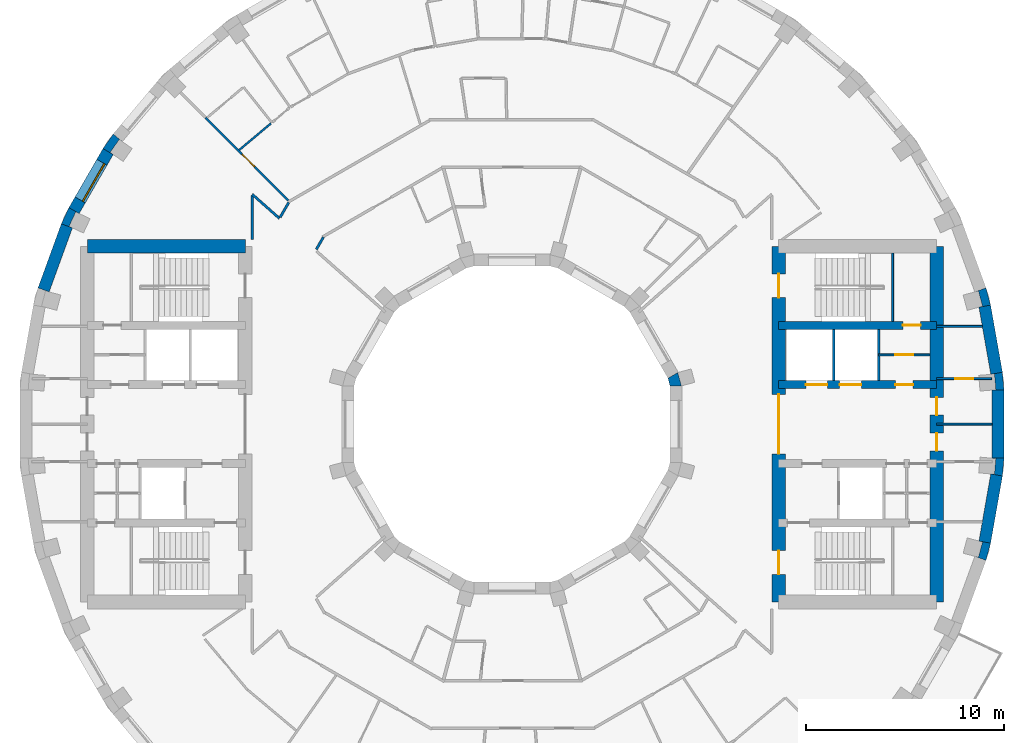
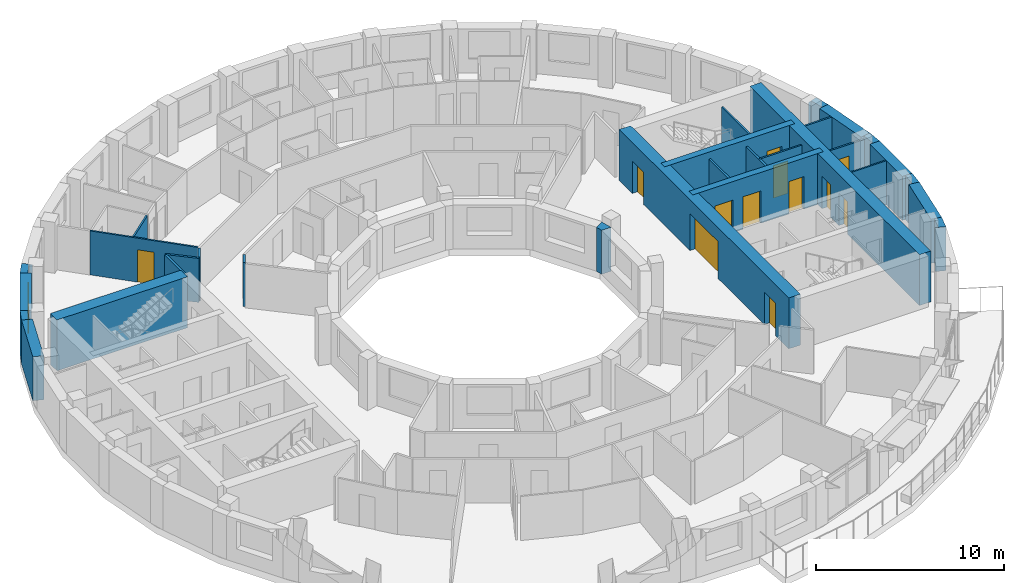
# One storey, part 10 of 15: 30 walls, 12 doors, 1 window, 13 openings.
"""IFC4 building model written with IfcOpenShell, lengths in metres."""

from ifc_helpers import new_model, si_unit, direction, frame, frame_2d, origin, place, context, subcontext, project, spatial, polyline, rectangle, outline, extrude, material, layer, layer_set, type_object, element, fill, save


model = new_model("IFC4")

# Units and contexts
model_context = context("Model", 3, precision=1e-05, world=origin(), true_north=direction((0.0, 1.0)))
body_context = subcontext(model_context, "Body", "Model", "MODEL_VIEW")
ifc_project = project(units=[si_unit("LENGTHUNIT", "METRE"), si_unit("AREAUNIT", "SQUARE_METRE"), si_unit("VOLUMEUNIT", "CUBIC_METRE"), si_unit("PLANEANGLEUNIT", "RADIAN"), si_unit("MASSUNIT", "GRAM", prefix="KILO")], contexts=[model_context])

# Site, building, storey
site_placement = place(None, origin())
site = spatial("IfcSite", under=ifc_project, at=site_placement, CompositionType="ELEMENT")
building_placement = place(site_placement, origin())
building = spatial("IfcBuilding", under=site, at=building_placement, Name="Saqina Gate Tower", CompositionType="ELEMENT")
storey_placement = place(building_placement, frame((0.0, 0.0, 164.10009765625)))
storey = spatial("IfcBuildingStorey", under=building, at=storey_placement, Name="L46", CompositionType="ELEMENT", Elevation=164.10009765625)

# Walls
ifc_material_1 = material(Name="Brick masonry (buff)", Category="masonry")
wall_type_1 = type_object("IfcWallType", Name="BRICK PIER COPING BUFF", PredefinedType="SOLIDWALL", material=ifc_material_1)
wall_1_placement = place(storey_placement, origin())
element("IfcWall", 1, at=wall_1_placement, inside=storey, type_object=wall_type_1, Name="Pier cap L46 column 1", PredefinedType="SOLIDWALL", context=body_context, shape_type="SweptSolid", body=[
    extrude(outline(polyline([(24.90478515625, 1.724853515625), (24.825927734375, 2.6259765625), (24.235107421875, 2.521728515625), (24.421630859375, 2.5380859375), (24.491455078125, 1.7412109375), (24.304931640625, 1.724853515625), (24.90478515625, 1.724853515625)])), origin(), (0.0, 0.0, 1.0), 2.849853515625),
])
wall_2_placement = place(storey_placement, origin())
element("IfcWall", 2, at=wall_2_placement, inside=storey, type_object=wall_type_1, Name="Pier cap L46 column 2", PredefinedType="SOLIDWALL", context=body_context, shape_type="SweptSolid", body=[
    extrude(outline(polyline([(24.22705078125, 6.0234375), (23.992919921875, 6.897216796875), (23.428955078125, 6.69189453125), (23.610107421875, 6.740478515625), (23.81689453125, 5.967529296875), (23.635986328125, 5.919189453125), (24.22705078125, 6.0234375)])), origin(), (0.0, 0.0, 1.0), 2.849853515625),
])
wall_3_placement = place(storey_placement, origin())
element("IfcWall", 3, at=wall_3_placement, inside=storey, type_object=wall_type_1, Name="Pier cap L46 column 15", PredefinedType="SOLIDWALL", context=body_context, shape_type="SweptSolid", body=[
    extrude(outline(polyline([(-20.18701171875, 14.687255859375), (-20.705810546875, 13.9462890625), (-20.186279296875, 13.646240234375), (-20.339599609375, 13.753662109375), (-19.880859375, 14.408935546875), (-19.727294921875, 14.301513671875), (-20.18701171875, 14.687255859375)])), origin(), (0.0, 0.0, 1.0), 2.849853515625),
])
wall_4_placement = place(storey_placement, origin())
element("IfcWall", 4, at=wall_4_placement, inside=storey, type_object=wall_type_1, Name="Pier cap L46 column 16", PredefinedType="SOLIDWALL", context=body_context, shape_type="SweptSolid", body=[
    extrude(outline(polyline([(-22.81298828125, 10.138916015625), (-22.249267578125, 9.93359375), (-22.4189453125, 10.0126953125), (-22.080810546875, 10.73779296875), (-21.9111328125, 10.65869140625), (-22.4306640625, 10.958740234375), (-22.81298828125, 10.138916015625)])), origin(), (0.0, 0.0, 1.0), 2.849853515625),
])
wall_5_placement = place(storey_placement, origin())
element("IfcWall", 5, at=wall_5_placement, inside=storey, type_object=wall_type_1, Name="Pier cap L46 column 35", PredefinedType="SOLIDWALL", context=body_context, shape_type="SweptSolid", body=[
    extrude(outline(polyline([(24.22705078125, -6.0234375), (23.635986328125, -5.919189453125), (23.81689453125, -5.967529296875), (23.610107421875, -6.740478515625), (23.428955078125, -6.69189453125), (23.992919921875, -6.897216796875), (24.22705078125, -6.0234375)])), origin(), (0.0, 0.0, 1.0), 2.849853515625),
])
wall_6_placement = place(storey_placement, origin())
element("IfcWall", 6, at=wall_6_placement, inside=storey, type_object=wall_type_1, Name="Pier cap L46 column 36", PredefinedType="SOLIDWALL", context=body_context, shape_type="SweptSolid", body=[
    extrude(outline(polyline([(24.825927734375, -2.6259765625), (24.90478515625, -1.724853515625), (24.304931640625, -1.724853515625), (24.491455078125, -1.7412109375), (24.421630859375, -2.5380859375), (24.235107421875, -2.521728515625), (24.825927734375, -2.6259765625)])), origin(), (0.0, 0.0, 1.0), 2.849853515625),
])
ifc_material_2 = material(Name="Gypsum board on steel studs", Category="steel")
ifc_layer_1 = layer(ifc_material_2, 0.10009765625)
ifc_layer_set_1 = layer_set([ifc_layer_1], Name="CORE PARTITION")
wall_type_2 = type_object("IfcWallType", Name="CORE PARTITION", PredefinedType="PARTITIONING", material=ifc_layer_set_1)
wall_7_placement = place(storey_placement, frame((21.5, 4.949951171875, 0.0), z_axis=(0.0, 0.0, 1.0), x_axis=(1.0, 0.0, 0.0)))
element("IfcWall", 7, at=wall_7_placement, inside=storey, type_object=wall_type_2, Name="L46-CP-E01", PredefinedType="PARTITIONING", context=body_context, shape_type="SweptSolid", body=[
    extrude(rectangle(XDim=2.306884765625, YDim=0.10009765625, at=frame_2d((1.1533203125, 0.0))), origin(), (0.0, 0.0, 1.0), 2.849853515625),
])

# Wall, opening, door
wall_8_placement = place(storey_placement, frame((21.5, 2.300048828125, 0.0), z_axis=(0.0, 0.0, 1.0), x_axis=(1.0, 0.0, 0.0)))
wall_8 = element("IfcWall", 8, at=wall_8_placement, inside=storey, type_object=wall_type_2, Name="L46-CP-E02", PredefinedType="PARTITIONING", context=body_context, shape_type="SweptSolid", body=[
    extrude(rectangle(XDim=2.774169921875, YDim=0.10009765625, at=frame_2d((1.38720703125, 0.0))), origin(), (0.0, 0.0, 1.0), 2.849853515625),
])
opening_1_placement = place(wall_8_placement, frame((0.93701171875, 0.0, 0.0)))
opening_1 = element("IfcOpeningElement", 9, at=opening_1_placement, cuts=wall_8, Name="Opening G13-D95", PredefinedType="OPENING", context=body_context, shape_type="SweptSolid", body=[
    extrude(rectangle(XDim=0.89990234375, YDim=2.10009765625, at=frame_2d((0.449951171875, 1.050048828125))), frame((0.0, 0.06201171875, 0.0), z_axis=(0.0, -1.0, 0.0), x_axis=(1.0, 0.0, 0.0)), (0.0, 0.0, 1.0), 0.1240234375),
])
ifc_material_3 = material(Name="Steel-framed fire door leaf, EI 60", Category="steel")
door_type_1 = type_object("IfcDoorType", Name="SERVICE ROOM DOOR 900", OperationType="SINGLE_SWING_LEFT", PredefinedType="DOOR", material=ifc_material_3)
door_1_placement = place(opening_1_placement, origin())
door_1 = element("IfcDoor", 10, at=door_1_placement, inside=storey, type_object=door_type_1, Name="L46-CD-E05", OperationType="SINGLE_SWING_LEFT", OverallHeight=2.10009765625, OverallWidth=0.89990234375, PredefinedType="DOOR", context=body_context, shape_type="SweptSolid", body=[
    extrude(rectangle(XDim=0.89990234375, YDim=2.10009765625, at=frame_2d((0.449951171875, 1.050048828125))), frame((0.0, 0.02490234375, 0.0), z_axis=(0.0, -1.0, 0.0), x_axis=(1.0, 0.0, 0.0)), (0.0, 0.0, 1.0), 0.050048828125),
])
fill(opening_1, door_1)

# Wall
wall_9_placement = place(storey_placement, frame((21.5, 0.0, 0.0), z_axis=(0.0, 0.0, 1.0), x_axis=(1.0, 0.0, 0.0)))
element("IfcWall", 11, at=wall_9_placement, inside=storey, type_object=wall_type_2, Name="L46-CP-E05", PredefinedType="PARTITIONING", context=body_context, shape_type="SweptSolid", body=[
    extrude(rectangle(XDim=2.804931640625, YDim=0.10009765625, at=frame_2d((1.40234375, 0.0))), origin(), (0.0, 0.0, 1.0), 2.849853515625),
])

# Wall, opening, door
wall_10_placement = place(storey_placement, frame((18.56005859375, 3.5, 0.0), z_axis=(0.0, 0.0, 1.0), x_axis=(1.0, 0.0, 0.0)))
wall_10 = element("IfcWall", 12, at=wall_10_placement, inside=storey, type_object=wall_type_2, Name="L46-CP-E11", PredefinedType="PARTITIONING", context=body_context, shape_type="SweptSolid", body=[
    extrude(rectangle(XDim=2.58984375, YDim=0.10009765625, at=frame_2d((1.294921875, 0.0))), origin(), (0.0, 0.0, 1.0), 2.849853515625),
])
opening_2_placement = place(wall_10_placement, frame((0.844970703125, 0.0, 0.0)))
opening_2 = element("IfcOpeningElement", 13, at=opening_2_placement, cuts=wall_10, Name="Opening G13-D125", PredefinedType="OPENING", context=body_context, shape_type="SweptSolid", body=[
    extrude(rectangle(XDim=0.89990234375, YDim=2.10009765625, at=frame_2d((0.449951171875, 1.050048828125))), frame((0.0, 0.06201171875, 0.0), z_axis=(0.0, -1.0, 0.0), x_axis=(1.0, 0.0, 0.0)), (0.0, 0.0, 1.0), 0.1240234375),
])
door_2_placement = place(opening_2_placement, origin())
door_2 = element("IfcDoor", 14, at=door_2_placement, inside=storey, type_object=door_type_1, Name="L46-CD-E09", OperationType="SINGLE_SWING_RIGHT", OverallHeight=2.10009765625, OverallWidth=0.89990234375, PredefinedType="DOOR", context=body_context, shape_type="SweptSolid", body=[
    extrude(rectangle(XDim=0.89990234375, YDim=2.10009765625, at=frame_2d((0.449951171875, 1.050048828125))), frame((0.0, 0.02490234375, 0.0), z_axis=(0.0, -1.0, 0.0), x_axis=(1.0, 0.0, 0.0)), (0.0, 0.0, 1.0), 0.050048828125),
])
fill(opening_2, door_2)

# Wall, opening, window
ifc_material_4 = material(Name="Brick masonry (buff)", Category="masonry")
ifc_layer_2 = layer(ifc_material_4, 0.60009765625)
ifc_layer_set_2 = layer_set([ifc_layer_2], Name="FW-BRICK-BUFF")
wall_type_3 = type_object("IfcWallType", Name="FW-BRICK-BUFF", PredefinedType="SOLIDWALL", material=ifc_layer_set_2)
wall_11_placement = place(storey_placement, frame((-20.446044921875, 13.796142578125, 0.0), z_axis=(0.0, 0.0, 1.0), x_axis=(-0.499998129301, -0.86602648383, 0.0)))
wall_11 = element("IfcWall", 15, at=wall_11_placement, inside=storey, type_object=wall_type_3, Name="Facade wall L46 facet 15", PredefinedType="SOLIDWALL", context=body_context, shape_type="SweptSolid", body=[
    extrude(rectangle(XDim=3.44970703125, YDim=0.60009765625, at=frame_2d((1.724853515625, 0.0))), origin(), (0.0, 0.0, 1.0), 2.849853515625),
])
opening_3_placement = place(wall_11_placement, frame((0.625, 0.0, 0.89990234375)))
opening_3 = element("IfcOpeningElement", 16, at=opening_3_placement, cuts=wall_11, Name="Opening G13-W13", PredefinedType="OPENING", context=body_context, shape_type="SweptSolid", body=[
    extrude(rectangle(XDim=2.199951171875, YDim=1.800048828125, at=frame_2d((1.10009765625, 0.89990234375))), frame((0.0, 0.31201171875, 0.0), z_axis=(0.0, -1.0, 0.0), x_axis=(1.0, 0.0, 0.0)), (0.0, 0.0, 1.0), 0.6240234375),
])
ifc_material_5 = material(Name="Aluminium glazing", Category="aluminium")
window_type = type_object("IfcWindowType", Name="WN-C", PartitioningType="SINGLE_PANEL", PredefinedType="WINDOW", material=ifc_material_5)
window_placement = place(opening_3_placement, origin())
window = element("IfcWindow", 17, at=window_placement, inside=storey, type_object=window_type, Name="Window L46 facet 15", OverallHeight=1.800048828125, OverallWidth=2.199951171875, PartitioningType="SINGLE_PANEL", PredefinedType="WINDOW", context=body_context, shape_type="SweptSolid", body=[
    extrude(rectangle(XDim=2.199951171875, YDim=1.800048828125, at=frame_2d((1.10009765625, 0.89990234375))), frame((0.0, 0.179931640625, 0.0), z_axis=(0.0, -1.0, 0.0), x_axis=(1.0, 0.0, 0.0)), (0.0, 0.0, 1.0), 0.06005859375),
])
fill(opening_3, window)

# Walls
ifc_material_6 = material(Name="Glazed ceramic tile", Category="ceramic")
ifc_layer_3 = layer(ifc_material_6, 0.60009765625)
ifc_layer_set_3 = layer_set([ifc_layer_3], Name="FW-TILE")
wall_type_4 = type_object("IfcWallType", Name="FW-TILE", PredefinedType="SOLIDWALL", material=ifc_layer_set_3)
for number, where, z_axis, x_axis, name in (
    (18, (24.530517578125, 2.573974609375, 0.0), (0.0, 0.0, 1.0), (-0.173607684551, 0.984814892183, 0.0), "Facade wall L46 facet 1"),
    (19, (23.931640625, -5.97119140625, 0.0), (0.0, 0.0, 1.0), (0.173607684551, 0.984814892183, 0.0), "Facade wall L46 facet 35"),
):
    element("IfcWall", number, at=place(storey_placement, frame(where, z_axis=z_axis, x_axis=x_axis)), inside=storey, type_object=wall_type_4, Name=name, PredefinedType="SOLIDWALL", context=body_context, shape_type="SweptSolid", body=[
        extrude(rectangle(XDim=3.44970703125, YDim=0.60009765625, at=frame_2d((1.724853515625, 0.0))), origin(), (0.0, 0.0, 1.0), 2.849853515625),
    ])
ifc_material_7 = material(Name="Glazed ceramic tile (dark blue)", Category="ceramic")
ifc_layer_4 = layer(ifc_material_7, 0.60009765625)
ifc_layer_set_4 = layer_set([ifc_layer_4], Name="FW-TILE-CB")
wall_type_5 = type_object("IfcWallType", Name="FW-TILE-CB", PredefinedType="SOLIDWALL", material=ifc_layer_set_4)
for number, where, z_axis, x_axis, name in (
    (20, (-22.531005859375, 10.0361328125, 0.0), (0.0, 0.0, 1.0), (-0.342032843455, -0.93968799822, 0.0), "Facade wall L46 facet 16"),
    (21, (24.60498046875, -1.724853515625, 0.0), (0.0, 0.0, 1.0), (0.0, 1.0, 0.0), "Facade wall L46 facet 36"),
):
    element("IfcWall", number, at=place(storey_placement, frame(where, z_axis=z_axis, x_axis=x_axis)), inside=storey, type_object=wall_type_5, Name=name, PredefinedType="SOLIDWALL", context=body_context, shape_type="SweptSolid", body=[
        extrude(rectangle(XDim=3.44970703125, YDim=0.60009765625, at=frame_2d((1.724853515625, 0.0))), origin(), (0.0, 0.0, 1.0), 2.849853515625),
    ])

# Wall, opening, door
ifc_material_8 = material(Name="Gypsum board on steel studs, 100 mm", Category="steel")
ifc_layer_5 = layer(ifc_material_8, 0.10009765625)
ifc_layer_set_5 = layer_set([ifc_layer_5], Name="PARTITION 100")
wall_type_6 = type_object("IfcWallType", Name="PARTITION 100", PredefinedType="PARTITIONING", material=ifc_layer_set_5)
wall_12_placement = place(storey_placement, frame((-15.51220703125, 15.51220703125, 0.0), z_axis=(0.0, 0.0, 1.0), x_axis=(0.707106781187, -0.707106781187, 0.0)))
wall_12 = element("IfcWall", 22, at=wall_12_placement, inside=storey, type_object=wall_type_6, Name="PARTITION PW3-18", PredefinedType="PARTITIONING", context=body_context, shape_type="SweptSolid", body=[
    extrude(rectangle(XDim=5.931396484375, YDim=0.10009765625, at=frame_2d((2.9658203125, 0.0))), origin(), (0.0, 0.0, 1.0), 2.849853515625),
])
opening_4_placement = place(wall_12_placement, frame((2.6171875, 0.0, 0.0)))
opening_4 = element("IfcOpeningElement", 23, at=opening_4_placement, cuts=wall_12, Name="Opening G13-D26", PredefinedType="OPENING", context=body_context, shape_type="SweptSolid", body=[
    extrude(rectangle(XDim=0.89990234375, YDim=2.10009765625, at=frame_2d((0.449951171875, 1.050048828125))), frame((0.0, 0.06201171875, 0.0), z_axis=(0.0, -1.0, 0.0), x_axis=(1.0, 0.0, 0.0)), (0.0, 0.0, 1.0), 0.1240234375),
])
ifc_material_9 = material(Name="Timber door leaf, 900 mm", Category="wood")
door_type_2 = type_object("IfcDoorType", Name="DOOR 900 TIMBER", OperationType="SINGLE_SWING_LEFT", PredefinedType="DOOR", material=ifc_material_9)
door_3_placement = place(opening_4_placement, frame((0.89990234375, 0.0, 0.0), z_axis=(0.0, 0.0, 1.0), x_axis=(-1.0, 0.0, 0.0)))
door_3 = element("IfcDoor", 24, at=door_3_placement, inside=storey, type_object=door_type_2, Name="DOOR G13-D26", OperationType="SINGLE_SWING_LEFT", OverallHeight=2.10009765625, OverallWidth=0.89990234375, PredefinedType="DOOR", context=body_context, shape_type="SweptSolid", body=[
    extrude(rectangle(XDim=0.89990234375, YDim=2.10009765625, at=frame_2d((0.449951171875, 1.050048828125))), frame((0.0, 0.02490234375, 0.0), z_axis=(0.0, -1.0, 0.0), x_axis=(1.0, 0.0, 0.0)), (0.0, 0.0, 1.0), 0.050048828125),
])
fill(opening_4, door_3)

# Walls
wall_13_placement = place(storey_placement, frame((-13.806396484375, 13.87744140625, 0.0), z_axis=(0.0, 0.0, 1.0), x_axis=(0.766093288455, 0.64272939359, 0.0)))
element("IfcWall", 25, at=wall_13_placement, inside=storey, type_object=wall_type_6, Name="PARTITION PW3-50", PredefinedType="PARTITIONING", context=body_context, shape_type="SweptSolid", body=[
    extrude(rectangle(XDim=2.091796875, YDim=0.10009765625, at=frame_2d((1.0458984375, 0.0))), origin(), (0.0, 0.0, 1.0), 2.849853515625),
])
ifc_material_10 = material(Name="Gypsum board on steel studs, 125 mm, fire rated", Category="steel")
ifc_layer_6 = layer(ifc_material_10, 0.125)
ifc_layer_set_6 = layer_set([ifc_layer_6], Name="PARTITION EI 30 125")
wall_type_7 = type_object("IfcWallType", Name="PARTITION EI 30 125", PredefinedType="PARTITIONING", material=ifc_layer_set_6)
wall_14_placement = place(storey_placement, frame((-13.14990234375, 11.634033203125, 0.0), z_axis=(0.0, 0.0, 1.0), x_axis=(0.748920683101, -0.662659649008, 0.0)))
element("IfcWall", 26, at=wall_14_placement, inside=storey, type_object=wall_type_7, Name="PARTITION PW1-06", PredefinedType="PARTITIONING", context=body_context, shape_type="SweptSolid", body=[
    extrude(rectangle(XDim=1.842529296875, YDim=0.125, at=frame_2d((0.92138671875, 0.0))), origin(), (0.0, 0.0, 1.0), 2.849853515625),
])
wall_15_placement = place(storey_placement, frame((-9.90478515625, 8.84521484375, 0.0), z_axis=(0.0, 0.0, 1.0), x_axis=(0.499821239653, 0.866128586522, 0.0)))
element("IfcWall", 27, at=wall_15_placement, inside=storey, type_object=wall_type_7, Name="PARTITION PW1-35", PredefinedType="PARTITIONING", context=body_context, shape_type="SweptSolid", body=[
    extrude(rectangle(XDim=0.713134765625, YDim=0.125, at=frame_2d((0.3564453125, 0.0))), origin(), (0.0, 0.0, 1.0), 2.849853515625),
])
wall_16_placement = place(storey_placement, frame((-11.73681640625, 10.466064453125, 0.0), z_axis=(0.0, 0.0, 1.0), x_axis=(0.49949531882, 0.866316585595, 0.0)))
element("IfcWall", 28, at=wall_16_placement, inside=storey, type_object=wall_type_7, Name="PARTITION PW1-36", PredefinedType="PARTITIONING", context=body_context, shape_type="SweptSolid", body=[
    extrude(rectangle(XDim=0.86865234375, YDim=0.125, at=frame_2d((0.434326171875, 0.0))), origin(), (0.0, 0.0, 1.0), 2.849853515625),
])
wall_17_placement = place(storey_placement, frame((-13.14990234375, 9.35009765625, 0.0), z_axis=(0.0, 0.0, 1.0), x_axis=(0.0, 1.0, 0.0)))
element("IfcWall", 29, at=wall_17_placement, inside=storey, type_object=wall_type_7, Name="PARTITION PW1-41", PredefinedType="PARTITIONING", context=body_context, shape_type="SweptSolid", body=[
    extrude(rectangle(XDim=2.221435546875, YDim=0.125, at=frame_2d((1.11083984375, 0.0))), origin(), (0.0, 0.0, 1.0), 2.849853515625),
])
ifc_material_11 = material(Name="Autoclaved aerated concrete block", Category="concrete")
ifc_layer_7 = layer(ifc_material_11, 0.1201171875)
ifc_layer_set_7 = layer_set([ifc_layer_7], Name="SHAFT PARTITION")
wall_type_8 = type_object("IfcWallType", Name="SHAFT PARTITION", PredefinedType="PARTITIONING", material=ifc_layer_set_7)
for number, where, z_axis, x_axis, name in (
    (30, (16.280029296875, 2.199951171875, 0.0), (0.0, 0.0, 1.0), (0.0, 1.0, 0.0), "L46-CP-E06"),
    (31, (18.56005859375, 2.199951171875, 0.0), (0.0, 0.0, 1.0), (0.0, 1.0, 0.0), "L46-CP-E07"),
):
    element("IfcWall", number, at=place(storey_placement, frame(where, z_axis=z_axis, x_axis=x_axis)), inside=storey, type_object=wall_type_8, Name=name, PredefinedType="PARTITIONING", context=body_context, shape_type="SweptSolid", body=[
        extrude(rectangle(XDim=2.60009765625, YDim=0.1201171875, at=frame_2d((1.300048828125, 0.0))), origin(), (0.0, 0.0, 1.0), 2.849853515625),
    ])
ifc_material_12 = material(Name="Autoclaved aerated concrete block", Category="concrete")
ifc_layer_8 = layer(ifc_material_12, 0.10009765625)
ifc_layer_set_8 = layer_set([ifc_layer_8], Name="STAIR ENCLOSURE WALL")
wall_type_9 = type_object("IfcWallType", Name="STAIR ENCLOSURE WALL", PredefinedType="PARTITIONING", material=ifc_layer_set_8)
wall_18_placement = place(storey_placement, frame((19.27001953125, 5.199951171875, 0.0), z_axis=(0.0, 0.0, 1.0), x_axis=(0.0, 1.0, 0.0)))
element("IfcWall", 32, at=wall_18_placement, inside=storey, type_object=wall_type_9, Name="L46-CP-E14", PredefinedType="PARTITIONING", context=body_context, shape_type="SweptSolid", body=[
    extrude(rectangle(XDim=3.449951171875, YDim=0.10009765625, at=frame_2d((1.72509765625, 0.0))), origin(), (0.0, 0.0, 1.0), 2.849853515625),
])

# Wall, opening, door
ifc_material_13 = material(Name="Concrete C60/75", Category="concrete")
ifc_layer_9 = layer(ifc_material_13, 0.39990234375)
ifc_layer_set_9 = layer_set([ifc_layer_9], Name="Concrete C60/75")
wall_type_10 = type_object("IfcWallType", Name="STR-CORE WALL-C-I", PredefinedType="SHEAR", material=ifc_layer_set_9)
wall_19_placement = place(storey_placement, frame((13.5, 5.0, 0.0), z_axis=(0.0, 0.0, 1.0), x_axis=(1.0, 0.0, 0.0)))
wall_19 = element("IfcWall", 33, at=wall_19_placement, inside=storey, type_object=wall_type_10, Name="CORE WALL L46 E-X1", PredefinedType="SHEAR", context=body_context, shape_type="SweptSolid", body=[
    extrude(rectangle(XDim=8.0, YDim=0.39990234375, at=frame_2d((4.0, 0.0))), origin(), (0.0, 0.0, 1.0), 3.2998046875),
])
opening_5_placement = place(wall_19_placement, frame((6.284912109375, 0.0, 0.0)))
opening_5 = element("IfcOpeningElement", 34, at=opening_5_placement, cuts=wall_19, Name="Opening G13-D126", PredefinedType="OPENING", context=body_context, shape_type="SweptSolid", body=[
    extrude(rectangle(XDim=0.89990234375, YDim=2.10009765625, at=frame_2d((0.449951171875, 1.050048828125))), frame((0.0, 0.2119140625, 0.0), z_axis=(0.0, -1.0, 0.0), x_axis=(1.0, 0.0, 0.0)), (0.0, 0.0, 1.0), 0.423828125),
])
door_4_placement = place(opening_5_placement, origin())
door_4 = element("IfcDoor", 35, at=door_4_placement, inside=storey, type_object=door_type_1, Name="L46-CD-E10", OperationType="SINGLE_SWING_RIGHT", OverallHeight=2.10009765625, OverallWidth=0.89990234375, PredefinedType="DOOR", context=body_context, shape_type="SweptSolid", body=[
    extrude(rectangle(XDim=0.89990234375, YDim=2.10009765625, at=frame_2d((0.449951171875, 1.050048828125))), frame((0.0, 0.02490234375, 0.0), z_axis=(0.0, -1.0, 0.0), x_axis=(1.0, 0.0, 0.0)), (0.0, 0.0, 1.0), 0.050048828125),
])
fill(opening_5, door_4)

# Wall, openings, doors
wall_20_placement = place(storey_placement, frame((13.5, 2.0, 0.0), z_axis=(0.0, 0.0, 1.0), x_axis=(1.0, 0.0, 0.0)))
wall_20 = element("IfcWall", 36, at=wall_20_placement, inside=storey, type_object=wall_type_10, Name="CORE WALL L46 E-L1", PredefinedType="SHEAR", context=body_context, shape_type="SweptSolid", body=[
    extrude(rectangle(XDim=8.0, YDim=0.39990234375, at=frame_2d((4.0, 0.0))), origin(), (0.0, 0.0, 1.0), 3.2998046875),
])
opening_6_placement = place(wall_20_placement, frame((1.3701171875, 0.0, 0.0)))
opening_6 = element("IfcOpeningElement", 37, at=opening_6_placement, cuts=wall_20, Name="Opening G13-LD1", PredefinedType="OPENING", context=body_context, shape_type="SweptSolid", body=[
    extrude(rectangle(XDim=1.10009765625, YDim=2.10009765625, at=frame_2d((0.550048828125, 1.050048828125))), frame((0.0, 0.2119140625, 0.0), z_axis=(0.0, -1.0, 0.0), x_axis=(1.0, 0.0, 0.0)), (0.0, 0.0, 1.0), 0.423828125),
])
opening_7_placement = place(wall_20_placement, frame((3.090087890625, 0.0, 0.0)))
opening_7 = element("IfcOpeningElement", 38, at=opening_7_placement, cuts=wall_20, Name="Opening G13-LD2", PredefinedType="OPENING", context=body_context, shape_type="SweptSolid", body=[
    extrude(rectangle(XDim=1.10009765625, YDim=2.10009765625, at=frame_2d((0.550048828125, 1.050048828125))), frame((0.0, 0.2119140625, 0.0), z_axis=(0.0, -1.0, 0.0), x_axis=(1.0, 0.0, 0.0)), (0.0, 0.0, 1.0), 0.423828125),
])
opening_8_placement = place(wall_20_placement, frame((5.905029296875, 0.0, 0.0)))
opening_8 = element("IfcOpeningElement", 39, at=opening_8_placement, cuts=wall_20, Name="Opening G13-D124", PredefinedType="OPENING", context=body_context, shape_type="SweptSolid", body=[
    extrude(rectangle(XDim=0.89990234375, YDim=2.10009765625, at=frame_2d((0.449951171875, 1.050048828125))), frame((0.0, 0.2119140625, 0.0), z_axis=(0.0, -1.0, 0.0), x_axis=(1.0, 0.0, 0.0)), (0.0, 0.0, 1.0), 0.423828125),
])
ifc_material_14 = material(Name="Stainless steel", Category="steel")
door_type_3 = type_object("IfcDoorType", Name="LANDING DOOR", OperationType="DOUBLE_DOOR_SLIDING", PredefinedType="DOOR", material=ifc_material_14)
door_5_placement = place(opening_6_placement, origin())
door_5 = element("IfcDoor", 40, at=door_5_placement, inside=storey, type_object=door_type_3, Name="LANDING DOOR HR1", OperationType="DOUBLE_DOOR_SLIDING", OverallHeight=2.10009765625, OverallWidth=1.10009765625, PredefinedType="DOOR", context=body_context, shape_type="SweptSolid", body=[
    extrude(rectangle(XDim=1.10009765625, YDim=2.10009765625, at=frame_2d((0.550048828125, 1.050048828125))), frame((0.0, 0.02490234375, 0.0), z_axis=(0.0, -1.0, 0.0), x_axis=(1.0, 0.0, 0.0)), (0.0, 0.0, 1.0), 0.050048828125),
])
fill(opening_6, door_5)
door_6_placement = place(opening_7_placement, origin())
door_6 = element("IfcDoor", 41, at=door_6_placement, inside=storey, type_object=door_type_3, Name="LANDING DOOR HR2", OperationType="DOUBLE_DOOR_SLIDING", OverallHeight=2.10009765625, OverallWidth=1.10009765625, PredefinedType="DOOR", context=body_context, shape_type="SweptSolid", body=[
    extrude(rectangle(XDim=1.10009765625, YDim=2.10009765625, at=frame_2d((0.550048828125, 1.050048828125))), frame((0.0, 0.02490234375, 0.0), z_axis=(0.0, -1.0, 0.0), x_axis=(1.0, 0.0, 0.0)), (0.0, 0.0, 1.0), 0.050048828125),
])
fill(opening_7, door_6)
door_7_placement = place(opening_8_placement, origin())
door_7 = element("IfcDoor", 42, at=door_7_placement, inside=storey, type_object=door_type_1, Name="L46-CD-E01", OperationType="SINGLE_SWING_RIGHT", OverallHeight=2.10009765625, OverallWidth=0.89990234375, PredefinedType="DOOR", context=body_context, shape_type="SweptSolid", body=[
    extrude(rectangle(XDim=0.89990234375, YDim=2.10009765625, at=frame_2d((0.449951171875, 1.050048828125))), frame((0.0, 0.02490234375, 0.0), z_axis=(0.0, -1.0, 0.0), x_axis=(1.0, 0.0, 0.0)), (0.0, 0.0, 1.0), 0.050048828125),
])
fill(opening_8, door_7)

ifc_material_15 = material(Name="Concrete C60/75", Category="concrete")
ifc_layer_10 = layer(ifc_material_15, 0.699951171875)
ifc_layer_set_10 = layer_set([ifc_layer_10], Name="Concrete C60/75")
wall_type_11 = type_object("IfcWallType", Name="STR-CORE WALL-C-O", PredefinedType="SHEAR", material=ifc_layer_set_10)
wall_21_placement = place(storey_placement, frame((13.5, -9.0, 0.0), z_axis=(0.0, 0.0, 1.0), x_axis=(0.0, 1.0, 0.0)))
wall_21 = element("IfcWall", 43, at=wall_21_placement, inside=storey, type_object=wall_type_11, Name="CORE WALL L46 E-W1", PredefinedType="SHEAR", context=body_context, shape_type="SweptSolid", body=[
    extrude(rectangle(XDim=18.0, YDim=0.699951171875, at=frame_2d((9.0, 0.0))), origin(), (0.0, 0.0, 1.0), 3.2998046875),
])
opening_9_placement = place(wall_21_placement, frame((15.39990234375, 0.0, 0.0)))
opening_9 = element("IfcOpeningElement", 44, at=opening_9_placement, cuts=wall_21, Name="Opening G13-D104", PredefinedType="OPENING", context=body_context, shape_type="SweptSolid", body=[
    extrude(rectangle(XDim=1.199951171875, YDim=2.10009765625, at=frame_2d((0.60009765625, 1.050048828125))), frame((0.0, 0.362060546875, 0.0), z_axis=(0.0, -1.0, 0.0), x_axis=(1.0, 0.0, 0.0)), (0.0, 0.0, 1.0), 0.723876953125),
])
opening_10_placement = place(wall_21_placement, frame((1.39990234375, 0.0, 0.0)))
opening_10 = element("IfcOpeningElement", 45, at=opening_10_placement, cuts=wall_21, Name="Opening G13-D105", PredefinedType="OPENING", context=body_context, shape_type="SweptSolid", body=[
    extrude(rectangle(XDim=1.199951171875, YDim=2.10009765625, at=frame_2d((0.60009765625, 1.050048828125))), frame((0.0, 0.362060546875, 0.0), z_axis=(0.0, -1.0, 0.0), x_axis=(1.0, 0.0, 0.0)), (0.0, 0.0, 1.0), 0.723876953125),
])
opening_11_placement = place(wall_21_placement, frame((7.5, 0.0, 0.0)))
opening_11 = element("IfcOpeningElement", 46, at=opening_11_placement, cuts=wall_21, Name="Opening G13-D106", PredefinedType="OPENING", context=body_context, shape_type="SweptSolid", body=[
    extrude(rectangle(XDim=3.0, YDim=2.39990234375, at=frame_2d((1.5, 1.199951171875))), frame((0.0, 0.362060546875, 0.0), z_axis=(0.0, -1.0, 0.0), x_axis=(1.0, 0.0, 0.0)), (0.0, 0.0, 1.0), 0.723876953125),
])
ifc_material_16 = material(Name="Steel", Category="steel")
door_type_4 = type_object("IfcDoorType", Name="FIRE DOOR EI 60", OperationType="SINGLE_SWING_LEFT", PredefinedType="DOOR", material=ifc_material_16)
door_8_placement = place(opening_9_placement, frame((1.199951171875, 0.0, 0.0), z_axis=(0.0, 0.0, 1.0), x_axis=(-1.0, 0.0, 0.0)))
door_8 = element("IfcDoor", 47, at=door_8_placement, inside=storey, type_object=door_type_4, Name="L46-CD-E15", OperationType="SINGLE_SWING_LEFT", OverallHeight=2.10009765625, OverallWidth=1.199951171875, PredefinedType="DOOR", context=body_context, shape_type="SweptSolid", body=[
    extrude(rectangle(XDim=1.199951171875, YDim=2.10009765625, at=frame_2d((0.60009765625, 1.050048828125))), frame((0.0, 0.02490234375, 0.0), z_axis=(0.0, -1.0, 0.0), x_axis=(1.0, 0.0, 0.0)), (0.0, 0.0, 1.0), 0.050048828125),
])
fill(opening_9, door_8)
door_9_placement = place(opening_10_placement, frame((1.199951171875, 0.0, 0.0), z_axis=(0.0, 0.0, 1.0), x_axis=(-1.0, 0.0, 0.0)))
door_9 = element("IfcDoor", 48, at=door_9_placement, inside=storey, type_object=door_type_4, Name="L46-CD-E16", OperationType="SINGLE_SWING_RIGHT", OverallHeight=2.10009765625, OverallWidth=1.199951171875, PredefinedType="DOOR", context=body_context, shape_type="SweptSolid", body=[
    extrude(rectangle(XDim=1.199951171875, YDim=2.10009765625, at=frame_2d((0.60009765625, 1.050048828125))), frame((0.0, 0.02490234375, 0.0), z_axis=(0.0, -1.0, 0.0), x_axis=(1.0, 0.0, 0.0)), (0.0, 0.0, 1.0), 0.050048828125),
])
fill(opening_10, door_9)
ifc_material_17 = material(Name="Steel and fire-resisting glass", Category="steel")
door_type_5 = type_object("IfcDoorType", Name="LOBBY SCREEN DOOR", OperationType="DOUBLE_DOOR_SLIDING", PredefinedType="DOOR", material=ifc_material_17)
door_10_placement = place(opening_11_placement, origin())
door_10 = element("IfcDoor", 49, at=door_10_placement, inside=storey, type_object=door_type_5, Name="L46-CD-E17", OperationType="DOUBLE_DOOR_SLIDING", OverallHeight=2.39990234375, OverallWidth=3.0, PredefinedType="DOOR", context=body_context, shape_type="SweptSolid", body=[
    extrude(rectangle(XDim=3.0, YDim=2.39990234375, at=frame_2d((1.5, 1.199951171875))), frame((0.0, 0.02490234375, 0.0), z_axis=(0.0, -1.0, 0.0), x_axis=(1.0, 0.0, 0.0)), (0.0, 0.0, 1.0), 0.050048828125),
])
fill(opening_11, door_10)

wall_22_placement = place(storey_placement, frame((21.5, -9.0, 0.0), z_axis=(0.0, 0.0, 1.0), x_axis=(0.0, 1.0, 0.0)))
wall_22 = element("IfcWall", 50, at=wall_22_placement, inside=storey, type_object=wall_type_11, Name="CORE WALL L46 E-W2", PredefinedType="SHEAR", context=body_context, shape_type="SweptSolid", body=[
    extrude(rectangle(XDim=18.0, YDim=0.699951171875, at=frame_2d((9.0, 0.0))), origin(), (0.0, 0.0, 1.0), 3.2998046875),
])
opening_12_placement = place(wall_22_placement, frame((9.449951171875, 0.0, 0.0)))
opening_12 = element("IfcOpeningElement", 51, at=opening_12_placement, cuts=wall_22, Name="Opening G13-D96", PredefinedType="OPENING", context=body_context, shape_type="SweptSolid", body=[
    extrude(rectangle(XDim=0.89990234375, YDim=2.10009765625, at=frame_2d((0.449951171875, 1.050048828125))), frame((0.0, 0.362060546875, 0.0), z_axis=(0.0, -1.0, 0.0), x_axis=(1.0, 0.0, 0.0)), (0.0, 0.0, 1.0), 0.723876953125),
])
opening_13_placement = place(wall_22_placement, frame((7.64990234375, 0.0, 0.0)))
opening_13 = element("IfcOpeningElement", 52, at=opening_13_placement, cuts=wall_22, Name="Opening G13-D98", PredefinedType="OPENING", context=body_context, shape_type="SweptSolid", body=[
    extrude(rectangle(XDim=0.89990234375, YDim=2.10009765625, at=frame_2d((0.449951171875, 1.050048828125))), frame((0.0, 0.362060546875, 0.0), z_axis=(0.0, -1.0, 0.0), x_axis=(1.0, 0.0, 0.0)), (0.0, 0.0, 1.0), 0.723876953125),
])
door_11_placement = place(opening_12_placement, frame((0.89990234375, 0.0, 0.0), z_axis=(0.0, 0.0, 1.0), x_axis=(-1.0, 0.0, 0.0)))
door_11 = element("IfcDoor", 53, at=door_11_placement, inside=storey, type_object=door_type_1, Name="L46-CD-E06", OperationType="SINGLE_SWING_RIGHT", OverallHeight=2.10009765625, OverallWidth=0.89990234375, PredefinedType="DOOR", context=body_context, shape_type="SweptSolid", body=[
    extrude(rectangle(XDim=0.89990234375, YDim=2.10009765625, at=frame_2d((0.449951171875, 1.050048828125))), frame((0.0, 0.02490234375, 0.0), z_axis=(0.0, -1.0, 0.0), x_axis=(1.0, 0.0, 0.0)), (0.0, 0.0, 1.0), 0.050048828125),
])
fill(opening_12, door_11)
door_12_placement = place(opening_13_placement, frame((0.89990234375, 0.0, 0.0), z_axis=(0.0, 0.0, 1.0), x_axis=(-1.0, 0.0, 0.0)))
door_12 = element("IfcDoor", 54, at=door_12_placement, inside=storey, type_object=door_type_1, Name="L46-CD-E08", OperationType="SINGLE_SWING_RIGHT", OverallHeight=2.10009765625, OverallWidth=0.89990234375, PredefinedType="DOOR", context=body_context, shape_type="SweptSolid", body=[
    extrude(rectangle(XDim=0.89990234375, YDim=2.10009765625, at=frame_2d((0.449951171875, 1.050048828125))), frame((0.0, 0.02490234375, 0.0), z_axis=(0.0, -1.0, 0.0), x_axis=(1.0, 0.0, 0.0)), (0.0, 0.0, 1.0), 0.050048828125),
])
fill(opening_13, door_12)

# Walls
wall_23_placement = place(storey_placement, frame((-13.5, 9.0, 0.0), z_axis=(0.0, 0.0, 1.0), x_axis=(-1.0, 0.0, 0.0)))
element("IfcWall", 55, at=wall_23_placement, inside=storey, type_object=wall_type_11, Name="CORE WALL L46 W-NE", PredefinedType="SHEAR", context=body_context, shape_type="SweptSolid", body=[
    extrude(rectangle(XDim=8.0, YDim=0.699951171875, at=frame_2d((4.0, 0.0))), origin(), (0.0, 0.0, 1.0), 3.2998046875),
])
ifc_material_18 = material(Name="Glazed ceramic tile", Category="ceramic")
wall_type_12 = type_object("IfcWallType", Name="TILE PIER COPING", PredefinedType="SOLIDWALL", material=ifc_material_18)
wall_24_placement = place(storey_placement, origin())
element("IfcWall", 56, at=wall_24_placement, inside=storey, type_object=wall_type_12, Name="Well pier cap L46 column 1", PredefinedType="SOLIDWALL", context=body_context, shape_type="SweptSolid", body=[
    extrude(outline(polyline([(8.392333984375, 2.611083984375), (7.895751953125, 2.32421875), (8.0, 1.934814453125), (8.573486328125, 1.934814453125), (8.392333984375, 2.611083984375)])), origin(), (0.0, 0.0, 1.0), 2.849853515625),
])

save(model, "model.ifc")
